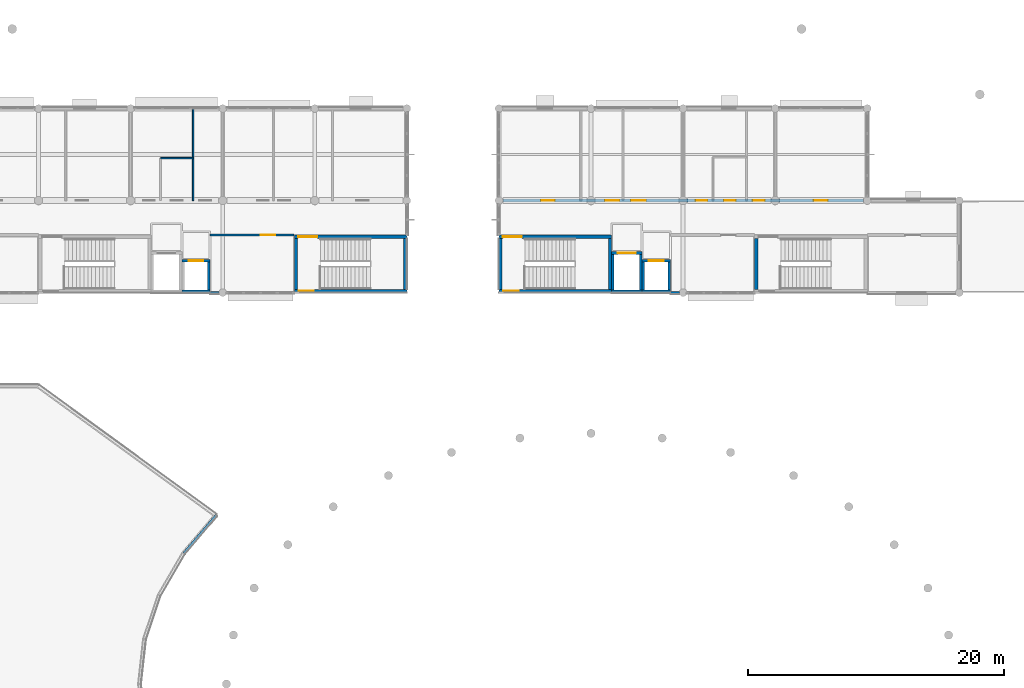
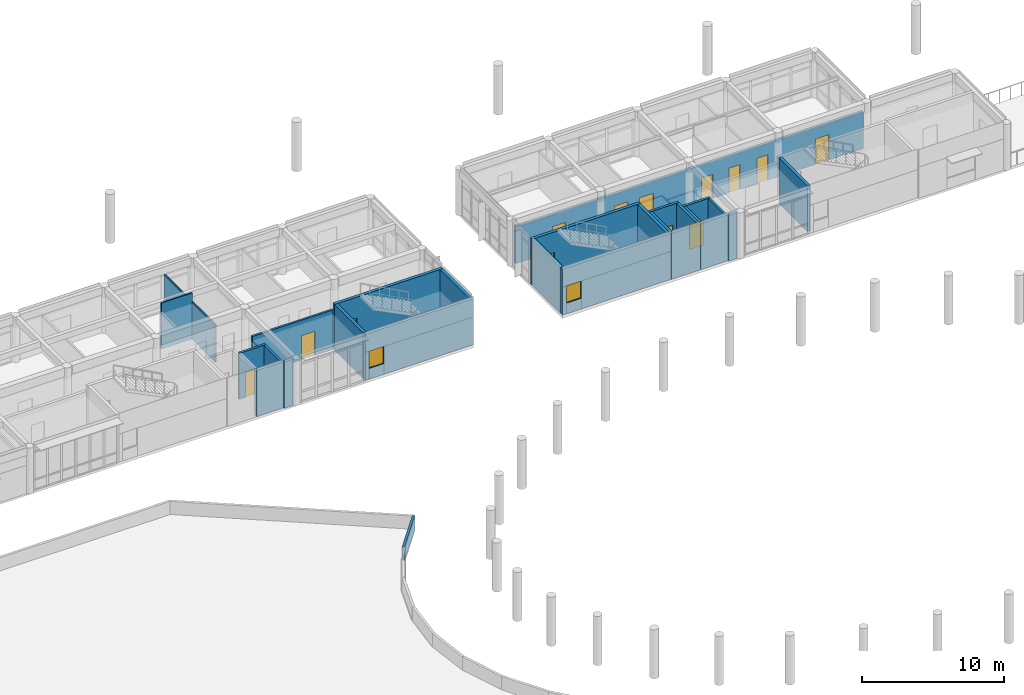
# One storey, part 27 of 55: 27 walls, 13 doors, 2 windows, 15 openings.
"""IFC4 building model written with IfcOpenShell, lengths in metres."""

from ifc_helpers import new_model, si_unit, direction, frame, frame_2d, origin, place, context, subcontext, project, spatial, rectangle, extrude, material, layer, layer_set, type_object, element, fill, save


model = new_model("IFC4")

# Units and contexts
model_context = context("Model", 3, precision=1e-05, world=origin(), true_north=direction((0.0, 1.0)))
body_context = subcontext(model_context, "Body", "Model", "MODEL_VIEW")
ifc_project = project(units=[si_unit("LENGTHUNIT", "METRE"), si_unit("AREAUNIT", "SQUARE_METRE"), si_unit("VOLUMEUNIT", "CUBIC_METRE"), si_unit("PLANEANGLEUNIT", "RADIAN"), si_unit("MASSUNIT", "GRAM", prefix="KILO")], contexts=[model_context])

# Site, building, storey
site_placement = place(None, origin())
site = spatial("IfcSite", under=ifc_project, at=site_placement, CompositionType="ELEMENT")
building_placement = place(site_placement, origin())
building = spatial("IfcBuilding", under=site, at=building_placement, Name="Namkhue Oval Health Centre", CompositionType="ELEMENT")
storey_placement = place(building_placement, frame((0.0, 0.0, 9.60009765625)))
storey = spatial("IfcBuildingStorey", under=building, at=storey_placement, Name="L02", CompositionType="ELEMENT", Elevation=9.60009765625)

# Walls
ifc_material_1 = material(Name="Autoclaved aerated concrete blockwork M7.5", Category="masonry")
ifc_layer_1 = layer(ifc_material_1, 0.199951171875)
ifc_layer_set_1 = layer_set([ifc_layer_1], Name="Autoclaved aerated concrete blockwork M7.5")
wall_type_1 = type_object("IfcWallType", Name="EXTERIOR ENVELOPE WALL 200", PredefinedType="STANDARD", material=ifc_layer_set_1)
wall_1_placement = place(storey_placement, frame((71.001953125, 90.0, 0.0), z_axis=(0.0, 0.0, 1.0), x_axis=(1.0, 0.0, 0.0)))
element("IfcWall", 1, at=wall_1_placement, inside=storey, type_object=wall_type_1, Name="Volume V2 L02 Exterior Envelope Wall 35", PredefinedType="STANDARD", context=body_context, shape_type="SweptSolid", body=[
    extrude(rectangle(XDim=0.703125, YDim=0.199951171875, at=frame_2d((0.3515625, 0.0))), origin(), (0.0, 0.0, 1.0), 3.949951171875),
])
ifc_layer_2 = layer(ifc_material_1, 0.2099609375)
ifc_layer_set_2 = layer_set([ifc_layer_2], Name="Autoclaved aerated concrete blockwork M7.5")
wall_type_2 = type_object("IfcWallType", Name="EXTERIOR ENVELOPE WALL 210", PredefinedType="STANDARD", material=ifc_layer_set_2)
wall_2_placement = place(storey_placement, frame((107.001953125, 90.0, 0.0), z_axis=(0.0, 0.0, 1.0), x_axis=(1.0, 0.0, 0.0)))
element("IfcWall", 2, at=wall_2_placement, inside=storey, type_object=wall_type_2, Name="Volume V3 L02 Exterior Envelope Wall 68", PredefinedType="STANDARD", context=body_context, shape_type="SweptSolid", body=[
    extrude(rectangle(XDim=0.703125, YDim=0.2099609375, at=frame_2d((0.3515625, 0.0))), origin(), (0.0, 0.0, 1.0), 3.9248046875),
])

# Wall, opening, door
ifc_material_2 = material(Name="Gypsum plasterboard acoustic partition", Category="gypsum")
ifc_layer_3 = layer(ifc_material_2, 0.169921875)
ifc_layer_set_3 = layer_set([ifc_layer_3], Name="Gypsum plasterboard acoustic partition")
wall_type_3 = type_object("IfcWallType", Name="FIRE PARTITION WALL 170", PredefinedType="PARTITIONING", material=ifc_layer_set_3)
wall_3_placement = place(storey_placement, frame((71.02001953125, 94.5, 0.0), z_axis=(0.0, 0.0, 1.0), x_axis=(1.0, 0.0, 0.0)))
wall_3 = element("IfcWall", 3, at=wall_3_placement, inside=storey, type_object=wall_type_3, Name="Volume V2 L02 Clinical Partition Wall 71", PredefinedType="PARTITIONING", context=body_context, shape_type="SweptSolid", body=[
    extrude(rectangle(XDim=6.56005859375, YDim=0.169921875, at=frame_2d((3.280029296875, 0.0))), origin(), (0.0, 0.0, 1.0), 3.39990234375),
])
opening_1_placement = place(wall_3_placement, frame((3.969970703125, 0.0, 0.0)))
opening_1 = element("IfcOpeningElement", 4, at=opening_1_placement, cuts=wall_3, Name="Opening CD-06", PredefinedType="OPENING", context=body_context, shape_type="SweptSolid", body=[
    extrude(rectangle(XDim=1.10009765625, YDim=2.080078125, at=frame_2d((0.550048828125, 1.0400390625))), frame((0.0, 0.094970703125, 0.0), z_axis=(0.0, -1.0, 0.0), x_axis=(1.0, 0.0, 0.0)), (0.0, 0.0, 1.0), 0.18994140625),
])
ifc_material_3 = material(Name="High-pressure laminate timber clinical door", Category="wood")
door_type_1 = type_object("IfcDoorType", Name="CLINICAL DOOR 1100X2080", OperationType="NOTDEFINED", PredefinedType="DOOR", material=ifc_material_3)
door_1_placement = place(opening_1_placement, frame((1.10009765625, 0.0, 0.0), z_axis=(0.0, 0.0, 1.0), x_axis=(-1.0, 0.0, 0.0)))
door_1 = element("IfcDoor", 5, at=door_1_placement, inside=storey, type_object=door_type_1, Name="Volume V2 L02 Memory Geriatric Clinic Door 56", OperationType="SINGLE_SWING_RIGHT", OverallHeight=2.080078125, OverallWidth=1.10009765625, PredefinedType="DOOR", context=body_context, shape_type="SweptSolid", body=[
    extrude(rectangle(XDim=1.10009765625, YDim=2.080078125, at=frame_2d((0.550048828125, 1.0400390625))), frame((0.0, 0.02490234375, 0.0), z_axis=(0.0, -1.0, 0.0), x_axis=(1.0, 0.0, 0.0)), (0.0, 0.0, 1.0), 0.050048828125),
])
fill(opening_1, door_1)

# Wall, openings, doors
ifc_layer_4 = layer(ifc_material_2, 0.215087890625)
ifc_layer_set_4 = layer_set([ifc_layer_4], Name="Gypsum plasterboard acoustic partition")
wall_type_4 = type_object("IfcWallType", Name="FIRE PARTITION WALL 215", PredefinedType="PARTITIONING", material=ifc_layer_set_4)
wall_4_placement = place(storey_placement, frame((93.89990234375, 97.199951171875, 0.0), z_axis=(0.0, 0.0, 1.0), x_axis=(1.0, 0.0, 0.0)))
wall_4 = element("IfcWall", 6, at=wall_4_placement, inside=storey, type_object=wall_type_4, Name="Volume V3 L02 Clinical Partition Wall 124", PredefinedType="PARTITIONING", context=body_context, shape_type="SweptSolid", body=[
    extrude(rectangle(XDim=28.2001953125, YDim=0.215087890625, at=frame_2d((14.10009765625, 0.0))), origin(), (0.0, 0.0, 1.0), 3.1748046875),
])
opening_2_placement = place(wall_4_placement, frame((3.0009765625, 0.0, 0.0)))
opening_2 = element("IfcOpeningElement", 7, at=opening_2_placement, cuts=wall_4, Name="Opening CD-10", PredefinedType="OPENING", context=body_context, shape_type="SweptSolid", body=[
    extrude(rectangle(XDim=1.050048828125, YDim=2.1298828125, at=frame_2d((0.52490234375, 1.06494140625))), frame((0.0, 0.117431640625, 0.0), z_axis=(0.0, -1.0, 0.0), x_axis=(1.0, 0.0, 0.0)), (0.0, 0.0, 1.0), 0.235107421875),
])
opening_3_placement = place(wall_4_placement, frame((8.007080078125, 0.0, 0.0)))
opening_3 = element("IfcOpeningElement", 8, at=opening_3_placement, cuts=wall_4, Name="Opening CD-11", PredefinedType="OPENING", context=body_context, shape_type="SweptSolid", body=[
    extrude(rectangle(XDim=1.10009765625, YDim=2.1298828125, at=frame_2d((0.550048828125, 1.06494140625))), frame((0.0, 0.117431640625, 0.0), z_axis=(0.0, -1.0, 0.0), x_axis=(1.0, 0.0, 0.0)), (0.0, 0.0, 1.0), 0.235107421875),
])
opening_4_placement = place(wall_4_placement, frame((10.0400390625, 0.0, 0.0)))
opening_4 = element("IfcOpeningElement", 9, at=opening_4_placement, cuts=wall_4, Name="Opening CD-12", PredefinedType="OPENING", context=body_context, shape_type="SweptSolid", body=[
    extrude(rectangle(XDim=1.14990234375, YDim=2.1298828125, at=frame_2d((0.574951171875, 1.06494140625))), frame((0.0, 0.117431640625, 0.0), z_axis=(0.0, -1.0, 0.0), x_axis=(1.0, 0.0, 0.0)), (0.0, 0.0, 1.0), 0.235107421875),
])
opening_5_placement = place(wall_4_placement, frame((15.090087890625, 0.0, 0.0)))
opening_5 = element("IfcOpeningElement", 10, at=opening_5_placement, cuts=wall_4, Name="Opening CD-01", PredefinedType="OPENING", context=body_context, shape_type="SweptSolid", body=[
    extrude(rectangle(XDim=0.89990234375, YDim=2.080078125, at=frame_2d((0.449951171875, 1.0400390625))), frame((0.0, 0.117431640625, 0.0), z_axis=(0.0, -1.0, 0.0), x_axis=(1.0, 0.0, 0.0)), (0.0, 0.0, 1.0), 0.235107421875),
])
opening_6_placement = place(wall_4_placement, frame((17.300048828125, 0.0, 0.0)))
opening_6 = element("IfcOpeningElement", 11, at=opening_6_placement, cuts=wall_4, Name="Opening CD-07", PredefinedType="OPENING", context=body_context, shape_type="SweptSolid", body=[
    extrude(rectangle(XDim=0.89990234375, YDim=2.1298828125, at=frame_2d((0.449951171875, 1.06494140625))), frame((0.0, 0.117431640625, 0.0), z_axis=(0.0, -1.0, 0.0), x_axis=(1.0, 0.0, 0.0)), (0.0, 0.0, 1.0), 0.235107421875),
])
opening_7_placement = place(wall_4_placement, frame((19.56005859375, 0.0, 0.0)))
opening_7 = element("IfcOpeningElement", 12, at=opening_7_placement, cuts=wall_4, Name="Opening CD-13", PredefinedType="OPENING", context=body_context, shape_type="SweptSolid", body=[
    extrude(rectangle(XDim=0.919921875, YDim=2.179931640625, at=frame_2d((0.4599609375, 1.08984375))), frame((0.0, 0.117431640625, 0.0), z_axis=(0.0, -1.0, 0.0), x_axis=(1.0, 0.0, 0.0)), (0.0, 0.0, 1.0), 0.235107421875),
])
opening_8_placement = place(wall_4_placement, frame((24.318115234375, 0.0, 0.0)))
opening_8 = element("IfcOpeningElement", 13, at=opening_8_placement, cuts=wall_4, Name="Opening CD-16", PredefinedType="OPENING", context=body_context, shape_type="SweptSolid", body=[
    extrude(rectangle(XDim=1.080078125, YDim=2.179931640625, at=frame_2d((0.5400390625, 1.08984375))), frame((0.0, 0.117431640625, 0.0), z_axis=(0.0, -1.0, 0.0), x_axis=(1.0, 0.0, 0.0)), (0.0, 0.0, 1.0), 0.235107421875),
])
door_type_2 = type_object("IfcDoorType", Name="CLINICAL DOOR 1050X2130", OperationType="NOTDEFINED", PredefinedType="DOOR", material=ifc_material_3)
door_2_placement = place(opening_2_placement, origin())
door_2 = element("IfcDoor", 14, at=door_2_placement, inside=storey, type_object=door_type_2, Name="Volume V3 L02 Endoscopy Suite Door 104", OperationType="SINGLE_SWING_RIGHT", OverallHeight=2.1298828125, OverallWidth=1.050048828125, PredefinedType="DOOR", context=body_context, shape_type="SweptSolid", body=[
    extrude(rectangle(XDim=1.050048828125, YDim=2.1298828125, at=frame_2d((0.52490234375, 1.06494140625))), frame((0.0, 0.02490234375, 0.0), z_axis=(0.0, -1.0, 0.0), x_axis=(1.0, 0.0, 0.0)), (0.0, 0.0, 1.0), 0.050048828125),
])
fill(opening_2, door_2)
door_type_3 = type_object("IfcDoorType", Name="CLINICAL DOOR 1080X2180", OperationType="NOTDEFINED", PredefinedType="DOOR", material=ifc_material_3)
door_3_placement = place(opening_8_placement, origin())
door_3 = element("IfcDoor", 15, at=door_3_placement, inside=storey, type_object=door_type_3, Name="Volume V3 L02 Endoscopy Recovery Lounge Door 110", OperationType="SINGLE_SWING_RIGHT", OverallHeight=2.179931640625, OverallWidth=1.080078125, PredefinedType="DOOR", context=body_context, shape_type="SweptSolid", body=[
    extrude(rectangle(XDim=1.080078125, YDim=2.179931640625, at=frame_2d((0.5400390625, 1.08984375))), frame((0.0, 0.02490234375, 0.0), z_axis=(0.0, -1.0, 0.0), x_axis=(1.0, 0.0, 0.0)), (0.0, 0.0, 1.0), 0.050048828125),
])
fill(opening_8, door_3)
door_type_4 = type_object("IfcDoorType", Name="CLINICAL DOOR 1100X2130", OperationType="NOTDEFINED", PredefinedType="DOOR", material=ifc_material_3)
door_4_placement = place(opening_3_placement, origin())
door_4 = element("IfcDoor", 16, at=door_4_placement, inside=storey, type_object=door_type_4, Name="Volume V3 L02 Scope Decontamination CSSD Door 105", OperationType="SINGLE_SWING_RIGHT", OverallHeight=2.1298828125, OverallWidth=1.10009765625, PredefinedType="DOOR", context=body_context, shape_type="SweptSolid", body=[
    extrude(rectangle(XDim=1.10009765625, YDim=2.1298828125, at=frame_2d((0.550048828125, 1.06494140625))), frame((0.0, 0.02490234375, 0.0), z_axis=(0.0, -1.0, 0.0), x_axis=(1.0, 0.0, 0.0)), (0.0, 0.0, 1.0), 0.050048828125),
])
fill(opening_3, door_4)
door_type_5 = type_object("IfcDoorType", Name="CLINICAL DOOR 1150X2130", OperationType="NOTDEFINED", PredefinedType="DOOR", material=ifc_material_3)
door_5_placement = place(opening_4_placement, origin())
door_5 = element("IfcDoor", 17, at=door_5_placement, inside=storey, type_object=door_type_5, Name="Volume V3 L02 Gastroenterology Clinic Door 106", OperationType="SINGLE_SWING_RIGHT", OverallHeight=2.1298828125, OverallWidth=1.14990234375, PredefinedType="DOOR", context=body_context, shape_type="SweptSolid", body=[
    extrude(rectangle(XDim=1.14990234375, YDim=2.1298828125, at=frame_2d((0.574951171875, 1.06494140625))), frame((0.0, 0.02490234375, 0.0), z_axis=(0.0, -1.0, 0.0), x_axis=(1.0, 0.0, 0.0)), (0.0, 0.0, 1.0), 0.050048828125),
])
fill(opening_4, door_5)
door_type_6 = type_object("IfcDoorType", Name="CLINICAL DOOR 900X2080", OperationType="NOTDEFINED", PredefinedType="DOOR", material=ifc_material_3)
door_6_placement = place(opening_5_placement, origin())
door_6 = element("IfcDoor", 18, at=door_6_placement, inside=storey, type_object=door_type_6, Name="Volume V3 L02 Endoscopy Clean Utility Room Door 107", OperationType="SINGLE_SWING_RIGHT", OverallHeight=2.080078125, OverallWidth=0.89990234375, PredefinedType="DOOR", context=body_context, shape_type="SweptSolid", body=[
    extrude(rectangle(XDim=0.89990234375, YDim=2.080078125, at=frame_2d((0.449951171875, 1.0400390625))), frame((0.0, 0.02490234375, 0.0), z_axis=(0.0, -1.0, 0.0), x_axis=(1.0, 0.0, 0.0)), (0.0, 0.0, 1.0), 0.050048828125),
])
fill(opening_5, door_6)
door_type_7 = type_object("IfcDoorType", Name="CLINICAL DOOR 900X2130", OperationType="NOTDEFINED", PredefinedType="DOOR", material=ifc_material_3)
door_7_placement = place(opening_6_placement, origin())
door_7 = element("IfcDoor", 19, at=door_7_placement, inside=storey, type_object=door_type_7, Name="Volume V3 L02 Accessible WC Door 108", OperationType="SINGLE_SWING_RIGHT", OverallHeight=2.1298828125, OverallWidth=0.89990234375, PredefinedType="DOOR", context=body_context, shape_type="SweptSolid", body=[
    extrude(rectangle(XDim=0.89990234375, YDim=2.1298828125, at=frame_2d((0.449951171875, 1.06494140625))), frame((0.0, 0.02490234375, 0.0), z_axis=(0.0, -1.0, 0.0), x_axis=(1.0, 0.0, 0.0)), (0.0, 0.0, 1.0), 0.050048828125),
])
fill(opening_6, door_7)
door_type_8 = type_object("IfcDoorType", Name="CLINICAL DOOR 920X2180", OperationType="NOTDEFINED", PredefinedType="DOOR", material=ifc_material_3)
door_8_placement = place(opening_7_placement, origin())
door_8 = element("IfcDoor", 20, at=door_8_placement, inside=storey, type_object=door_type_8, Name="Volume V3 L02 Staff Washroom Door 109", OperationType="SINGLE_SWING_LEFT", OverallHeight=2.179931640625, OverallWidth=0.919921875, PredefinedType="DOOR", context=body_context, shape_type="SweptSolid", body=[
    extrude(rectangle(XDim=0.919921875, YDim=2.179931640625, at=frame_2d((0.4599609375, 1.08984375))), frame((0.0, 0.02490234375, 0.0), z_axis=(0.0, -1.0, 0.0), x_axis=(1.0, 0.0, 0.0)), (0.0, 0.0, 1.0), 0.050048828125),
])
fill(opening_7, door_8)

# Walls
ifc_layer_5 = layer(ifc_material_2, 0.10009765625)
ifc_layer_set_5 = layer_set([ifc_layer_5], Name="Gypsum plasterboard acoustic partition")
wall_type_5 = type_object("IfcWallType", Name="INTERIOR PARTITION WALL 100", PredefinedType="PARTITIONING", material=ifc_layer_set_5)
wall_5_placement = place(storey_placement, frame((67.139892578125, 100.52001953125, 0.0), z_axis=(0.0, 0.0, 1.0), x_axis=(1.0, 0.0, 0.0)))
element("IfcWall", 21, at=wall_5_placement, inside=storey, type_object=wall_type_5, Name="Volume V2 L02 Clinical Partition Wall 64", PredefinedType="PARTITIONING", context=body_context, shape_type="SweptSolid", body=[
    extrude(rectangle(XDim=2.5400390625, YDim=0.10009765625, at=frame_2d((1.27001953125, 0.0))), origin(), (0.0, 0.0, 1.0), 3.949951171875),
])
ifc_layer_6 = layer(ifc_material_2, 0.110107421875)
ifc_layer_set_6 = layer_set([ifc_layer_6], Name="Gypsum plasterboard acoustic partition")
wall_type_6 = type_object("IfcWallType", Name="INTERIOR PARTITION WALL 110", PredefinedType="PARTITIONING", material=ifc_layer_set_6)
wall_6_placement = place(storey_placement, frame((69.679931640625, 97.199951171875, 0.0), z_axis=(0.0, 0.0, 1.0), x_axis=(0.0, 1.0, 0.0)))
element("IfcWall", 22, at=wall_6_placement, inside=storey, type_object=wall_type_6, Name="Volume V2 L02 Clinical Partition Wall 65", PredefinedType="PARTITIONING", context=body_context, shape_type="SweptSolid", body=[
    extrude(rectangle(XDim=7.16015625, YDim=0.110107421875, at=frame_2d((3.580078125, 0.0))), origin(), (0.0, 0.0, 1.0), 3.199951171875),
])
ifc_material_4 = material(Name="Precast architectural concrete C35/45 (TCVN B40)", Category="concrete")
ifc_layer_7 = layer(ifc_material_4, 0.18505859375)
ifc_layer_set_7 = layer_set([ifc_layer_7], Name="Precast architectural concrete C35/45 (TCVN B40)")
wall_type_7 = type_object("IfcWallType", Name="ROOF PARAPET WALL 185", PredefinedType="PARAPET", material=ifc_layer_set_7)
wall_7_placement = place(storey_placement, frame((71.48291015625, 72.5810546875, 0.0), z_axis=(0.0, 0.0, 1.0), x_axis=(-0.648747253015, -0.761003943292, 0.0)))
element("IfcWall", 23, at=wall_7_placement, inside=storey, type_object=wall_type_7, Name="Volume V1 L02 Roof Parapet Wall 4", PredefinedType="PARAPET", context=body_context, shape_type="SweptSolid", body=[
    extrude(rectangle(XDim=3.8994140625, YDim=0.18505859375, at=frame_2d((1.94970703125, 0.0))), origin(), (0.0, 0.0, 1.0), 1.14990234375),
])

# Wall, opening, window
ifc_material_5 = material(Name="Reinforced concrete C35/45 (TCVN B40)", Category="concrete")
ifc_layer_8 = layer(ifc_material_5, 0.25)
ifc_layer_set_8 = layer_set([ifc_layer_8], Name="Reinforced concrete C35/45 (TCVN B40)")
wall_type_8 = type_object("IfcWallType", Name="SHEAR CORE WALL EXT 250", PredefinedType="SHEAR", material=ifc_layer_set_8)
wall_8_placement = place(storey_placement, frame((77.60009765625, 90.125, 0.0), z_axis=(0.0, 0.0, 1.0), x_axis=(1.0, 0.0, 0.0)))
wall_8 = element("IfcWall", 24, at=wall_8_placement, inside=storey, type_object=wall_type_8, Name="Core SC-04 L02 Shear Wall S", PredefinedType="SHEAR", context=body_context, shape_type="SweptSolid", body=[
    extrude(rectangle(XDim=8.7998046875, YDim=0.25, at=frame_2d((4.39990234375, 0.0))), origin(), (0.0, 0.0, 1.0), 3.949951171875),
])
opening_9_placement = place(wall_8_placement, frame((0.35009765625, 0.0, 0.919921875)))
opening_9 = element("IfcOpeningElement", 25, at=opening_9_placement, cuts=wall_8, Name="Opening SWN-01", PredefinedType="OPENING", context=body_context, shape_type="SweptSolid", body=[
    extrude(rectangle(XDim=1.179931640625, YDim=1.47998046875, at=frame_2d((0.58984375, 0.739990234375))), frame((0.0, 0.135009765625, 0.0), z_axis=(0.0, -1.0, 0.0), x_axis=(1.0, 0.0, 0.0)), (0.0, 0.0, 1.0), 0.27001953125),
])
ifc_material_6 = material(Name="Fire-rated insulated safety double glazing", Category="glass")
window_type = type_object("IfcWindowType", Name="EXTERIOR WINDOW STAIRWELL 1180X1480", PartitioningType="SINGLE_PANEL", PredefinedType="WINDOW", material=ifc_material_6)
window_1_placement = place(opening_9_placement, origin())
window_1 = element("IfcWindow", 26, at=window_1_placement, inside=storey, type_object=window_type, Name="Stair ST-04 L02 Stairwell Daylight Window", OverallHeight=1.47998046875, OverallWidth=1.179931640625, PartitioningType="SINGLE_PANEL", PredefinedType="WINDOW", context=body_context, shape_type="SweptSolid", body=[
    extrude(rectangle(XDim=1.179931640625, YDim=1.47998046875, at=frame_2d((0.58984375, 0.739990234375))), frame((0.0, 0.030029296875, 0.0), z_axis=(0.0, -1.0, 0.0), x_axis=(1.0, 0.0, 0.0)), (0.0, 0.0, 1.0), 0.06005859375),
])
fill(opening_9, window_1)

# Wall
wall_9_placement = place(storey_placement, frame((86.27490234375, 90.25, 0.0), z_axis=(0.0, 0.0, 1.0), x_axis=(0.0, 1.0, 0.0)))
element("IfcWall", 27, at=wall_9_placement, inside=storey, type_object=wall_type_8, Name="Core SC-04 L02 Shear Wall E", PredefinedType="SHEAR", context=body_context, shape_type="SweptSolid", body=[
    extrude(rectangle(XDim=4.0, YDim=0.25, at=frame_2d((2.0, 0.0))), origin(), (0.0, 0.0, 1.0), 3.949951171875),
])

# Wall, opening, window
wall_10_placement = place(storey_placement, frame((93.60009765625, 90.125, 0.0), z_axis=(0.0, 0.0, 1.0), x_axis=(1.0, 0.0, 0.0)))
wall_10 = element("IfcWall", 28, at=wall_10_placement, inside=storey, type_object=wall_type_8, Name="Core SC-05 L02 Shear Wall S", PredefinedType="SHEAR", context=body_context, shape_type="SweptSolid", body=[
    extrude(rectangle(XDim=8.7998046875, YDim=0.25, at=frame_2d((4.39990234375, 0.0))), origin(), (0.0, 0.0, 1.0), 3.9248046875),
])
opening_10_placement = place(wall_10_placement, frame((0.35009765625, 0.0, 0.919921875)))
opening_10 = element("IfcOpeningElement", 29, at=opening_10_placement, cuts=wall_10, Name="Opening SWN-01", PredefinedType="OPENING", context=body_context, shape_type="SweptSolid", body=[
    extrude(rectangle(XDim=1.179931640625, YDim=1.47998046875, at=frame_2d((0.58984375, 0.739990234375))), frame((0.0, 0.135009765625, 0.0), z_axis=(0.0, -1.0, 0.0), x_axis=(1.0, 0.0, 0.0)), (0.0, 0.0, 1.0), 0.27001953125),
])
window_2_placement = place(opening_10_placement, origin())
window_2 = element("IfcWindow", 30, at=window_2_placement, inside=storey, type_object=window_type, Name="Stair ST-05 L02 Stairwell Daylight Window", OverallHeight=1.47998046875, OverallWidth=1.179931640625, PartitioningType="SINGLE_PANEL", PredefinedType="WINDOW", context=body_context, shape_type="SweptSolid", body=[
    extrude(rectangle(XDim=1.179931640625, YDim=1.47998046875, at=frame_2d((0.58984375, 0.739990234375))), frame((0.0, 0.030029296875, 0.0), z_axis=(0.0, -1.0, 0.0), x_axis=(1.0, 0.0, 0.0)), (0.0, 0.0, 1.0), 0.06005859375),
])
fill(opening_10, window_2)

# Walls
wall_11_placement = place(storey_placement, frame((93.72509765625, 94.25, 0.0), z_axis=(0.0, 0.0, 1.0), x_axis=(0.0, -1.0, 0.0)))
element("IfcWall", 31, at=wall_11_placement, inside=storey, type_object=wall_type_8, Name="Core SC-05 L02 Shear Wall W", PredefinedType="SHEAR", context=body_context, shape_type="SweptSolid", body=[
    extrude(rectangle(XDim=4.0, YDim=0.25, at=frame_2d((2.0, 0.0))), origin(), (0.0, 0.0, 1.0), 3.9248046875),
])
wall_12_placement = place(storey_placement, frame((68.800048828125, 90.10009765625, 0.0), z_axis=(0.0, 0.0, 1.0), x_axis=(1.0, 0.0, 0.0)))
element("IfcWall", 32, at=wall_12_placement, inside=storey, type_object=wall_type_8, Name="Lift LF-02 L02 Shaft Wall S", PredefinedType="SHEAR", context=body_context, shape_type="SweptSolid", body=[
    extrude(rectangle(XDim=2.199951171875, YDim=0.25, at=frame_2d((1.10009765625, 0.0))), origin(), (0.0, 0.0, 1.0), 3.949951171875),
])
wall_13_placement = place(storey_placement, frame((102.39990234375, 90.10009765625, 0.0), z_axis=(0.0, 0.0, 1.0), x_axis=(1.0, 0.0, 0.0)))
element("IfcWall", 33, at=wall_13_placement, inside=storey, type_object=wall_type_8, Name="Lift LF-03 L02 Shaft Wall S", PredefinedType="SHEAR", context=body_context, shape_type="SweptSolid", body=[
    extrude(rectangle(XDim=2.400146484375, YDim=0.25, at=frame_2d((1.2001953125, 0.0))), origin(), (0.0, 0.0, 1.0), 3.9248046875),
])
wall_14_placement = place(storey_placement, frame((104.800048828125, 90.10009765625, 0.0), z_axis=(0.0, 0.0, 1.0), x_axis=(1.0, 0.0, 0.0)))
element("IfcWall", 34, at=wall_14_placement, inside=storey, type_object=wall_type_8, Name="Lift LF-04 L02 Shaft Wall S", PredefinedType="SHEAR", context=body_context, shape_type="SweptSolid", body=[
    extrude(rectangle(XDim=2.199951171875, YDim=0.25, at=frame_2d((1.10009765625, 0.0))), origin(), (0.0, 0.0, 1.0), 3.9248046875),
])
ifc_layer_9 = layer(ifc_material_5, 0.199951171875)
ifc_layer_set_9 = layer_set([ifc_layer_9], Name="Reinforced concrete C35/45 (TCVN B40)")
wall_type_9 = type_object("IfcWallType", Name="SHEAR CORE WALL INT 200", PredefinedType="SHEAR", material=ifc_layer_set_9)
wall_15_placement = place(storey_placement, frame((70.89990234375, 90.199951171875, 0.0), z_axis=(0.0, 0.0, 1.0), x_axis=(0.0, 1.0, 0.0)))
element("IfcWall", 35, at=wall_15_placement, inside=storey, type_object=wall_type_9, Name="Lift LF-02 L02 Shaft Wall E", PredefinedType="SHEAR", context=body_context, shape_type="SweptSolid", body=[
    extrude(rectangle(XDim=2.199951171875, YDim=0.199951171875, at=frame_2d((1.10009765625, 0.0))), origin(), (0.0, 0.0, 1.0), 3.949951171875),
])

# Wall, opening, door
wall_16_placement = place(storey_placement, frame((71.0, 92.5, 0.0), z_axis=(0.0, 0.0, 1.0), x_axis=(-1.0, 0.0, 0.0)))
wall_16 = element("IfcWall", 36, at=wall_16_placement, inside=storey, type_object=wall_type_9, Name="Lift LF-02 L02 Shaft Wall N", PredefinedType="SHEAR", context=body_context, shape_type="SweptSolid", body=[
    extrude(rectangle(XDim=2.199951171875, YDim=0.199951171875, at=frame_2d((1.10009765625, 0.0))), origin(), (0.0, 0.0, 1.0), 3.949951171875),
])
opening_11_placement = place(wall_16_placement, frame((0.52490234375, 0.0, 0.0)))
opening_11 = element("IfcOpeningElement", 37, at=opening_11_placement, cuts=wall_16, Name="Opening LD-02", PredefinedType="OPENING", context=body_context, shape_type="SweptSolid", body=[
    extrude(rectangle(XDim=1.14990234375, YDim=2.14990234375, at=frame_2d((0.574951171875, 1.074951171875))), frame((0.0, 0.10986328125, 0.0), z_axis=(0.0, -1.0, 0.0), x_axis=(1.0, 0.0, 0.0)), (0.0, 0.0, 1.0), 0.219970703125),
])
ifc_material_7 = material(Name="Powder-coated steel fire door assembly", Category="steel")
door_type_9 = type_object("IfcDoorType", Name="LIFT LANDING DOOR PASSENGER 1150X2150", OperationType="DOUBLE_DOOR_SLIDING", PredefinedType="DOOR", material=ifc_material_7)
door_9_placement = place(opening_11_placement, frame((1.14990234375, 0.0, 0.0), z_axis=(0.0, 0.0, 1.0), x_axis=(-1.0, 0.0, 0.0)))
door_9 = element("IfcDoor", 38, at=door_9_placement, inside=storey, type_object=door_type_9, Name="Lift LF-02 L02 Sliding Landing Door", OperationType="DOUBLE_DOOR_SLIDING", OverallHeight=2.14990234375, OverallWidth=1.14990234375, PredefinedType="DOOR", context=body_context, shape_type="SweptSolid", body=[
    extrude(rectangle(XDim=1.14990234375, YDim=2.14990234375, at=frame_2d((0.574951171875, 1.074951171875))), frame((0.0, 0.02490234375, 0.0), z_axis=(0.0, -1.0, 0.0), x_axis=(1.0, 0.0, 0.0)), (0.0, 0.0, 1.0), 0.050048828125),
])
fill(opening_11, door_9)

# Wall
wall_17_placement = place(storey_placement, frame((104.699951171875, 90.199951171875, 0.0), z_axis=(0.0, 0.0, 1.0), x_axis=(0.0, 1.0, 0.0)))
element("IfcWall", 39, at=wall_17_placement, inside=storey, type_object=wall_type_9, Name="Lift LF-03 L02 Shaft Wall E", PredefinedType="SHEAR", context=body_context, shape_type="SweptSolid", body=[
    extrude(rectangle(XDim=2.800048828125, YDim=0.199951171875, at=frame_2d((1.39990234375, 0.0))), origin(), (0.0, 0.0, 1.0), 3.9248046875),
])

# Wall, opening, door
wall_18_placement = place(storey_placement, frame((104.800048828125, 93.10009765625, 0.0), z_axis=(0.0, 0.0, 1.0), x_axis=(-1.0, 0.0, 0.0)))
wall_18 = element("IfcWall", 40, at=wall_18_placement, inside=storey, type_object=wall_type_9, Name="Lift LF-03 L02 Shaft Wall N", PredefinedType="SHEAR", context=body_context, shape_type="SweptSolid", body=[
    extrude(rectangle(XDim=2.400146484375, YDim=0.199951171875, at=frame_2d((1.2001953125, 0.0))), origin(), (0.0, 0.0, 1.0), 3.9248046875),
])
opening_12_placement = place(wall_18_placement, frame((0.5, 0.0, 0.0)))
opening_12 = element("IfcOpeningElement", 41, at=opening_12_placement, cuts=wall_18, Name="Opening LD-01", PredefinedType="OPENING", context=body_context, shape_type="SweptSolid", body=[
    extrude(rectangle(XDim=1.39990234375, YDim=2.14990234375, at=frame_2d((0.699951171875, 1.074951171875))), frame((0.0, 0.10986328125, 0.0), z_axis=(0.0, -1.0, 0.0), x_axis=(1.0, 0.0, 0.0)), (0.0, 0.0, 1.0), 0.219970703125),
])
door_type_10 = type_object("IfcDoorType", Name="LIFT LANDING DOOR STRETCHER 1400X2150", OperationType="DOUBLE_DOOR_SLIDING", PredefinedType="DOOR", material=ifc_material_7)
door_10_placement = place(opening_12_placement, frame((1.39990234375, 0.0, 0.0), z_axis=(0.0, 0.0, 1.0), x_axis=(-1.0, 0.0, 0.0)))
door_10 = element("IfcDoor", 42, at=door_10_placement, inside=storey, type_object=door_type_10, Name="Lift LF-03 L02 Sliding Landing Door", OperationType="DOUBLE_DOOR_SLIDING", OverallHeight=2.14990234375, OverallWidth=1.39990234375, PredefinedType="DOOR", context=body_context, shape_type="SweptSolid", body=[
    extrude(rectangle(XDim=1.39990234375, YDim=2.14990234375, at=frame_2d((0.699951171875, 1.074951171875))), frame((0.0, 0.02490234375, 0.0), z_axis=(0.0, -1.0, 0.0), x_axis=(1.0, 0.0, 0.0)), (0.0, 0.0, 1.0), 0.050048828125),
])
fill(opening_12, door_10)

# Walls
wall_19_placement = place(storey_placement, frame((102.5, 93.0, 0.0), z_axis=(0.0, 0.0, 1.0), x_axis=(0.0, -1.0, 0.0)))
element("IfcWall", 43, at=wall_19_placement, inside=storey, type_object=wall_type_9, Name="Lift LF-03 L02 Shaft Wall W", PredefinedType="SHEAR", context=body_context, shape_type="SweptSolid", body=[
    extrude(rectangle(XDim=2.800048828125, YDim=0.199951171875, at=frame_2d((1.39990234375, 0.0))), origin(), (0.0, 0.0, 1.0), 3.9248046875),
])
wall_20_placement = place(storey_placement, frame((106.89990234375, 90.199951171875, 0.0), z_axis=(0.0, 0.0, 1.0), x_axis=(0.0, 1.0, 0.0)))
element("IfcWall", 44, at=wall_20_placement, inside=storey, type_object=wall_type_9, Name="Lift LF-04 L02 Shaft Wall E", PredefinedType="SHEAR", context=body_context, shape_type="SweptSolid", body=[
    extrude(rectangle(XDim=2.199951171875, YDim=0.199951171875, at=frame_2d((1.10009765625, 0.0))), origin(), (0.0, 0.0, 1.0), 3.9248046875),
])

# Wall, opening, door
wall_21_placement = place(storey_placement, frame((107.0, 92.5, 0.0), z_axis=(0.0, 0.0, 1.0), x_axis=(-1.0, 0.0, 0.0)))
wall_21 = element("IfcWall", 45, at=wall_21_placement, inside=storey, type_object=wall_type_9, Name="Lift LF-04 L02 Shaft Wall N", PredefinedType="SHEAR", context=body_context, shape_type="SweptSolid", body=[
    extrude(rectangle(XDim=2.199951171875, YDim=0.199951171875, at=frame_2d((1.10009765625, 0.0))), origin(), (0.0, 0.0, 1.0), 3.9248046875),
])
opening_13_placement = place(wall_21_placement, frame((0.52490234375, 0.0, 0.0)))
opening_13 = element("IfcOpeningElement", 46, at=opening_13_placement, cuts=wall_21, Name="Opening LD-02", PredefinedType="OPENING", context=body_context, shape_type="SweptSolid", body=[
    extrude(rectangle(XDim=1.14990234375, YDim=2.14990234375, at=frame_2d((0.574951171875, 1.074951171875))), frame((0.0, 0.10986328125, 0.0), z_axis=(0.0, -1.0, 0.0), x_axis=(1.0, 0.0, 0.0)), (0.0, 0.0, 1.0), 0.219970703125),
])
door_11_placement = place(opening_13_placement, frame((1.14990234375, 0.0, 0.0), z_axis=(0.0, 0.0, 1.0), x_axis=(-1.0, 0.0, 0.0)))
door_11 = element("IfcDoor", 47, at=door_11_placement, inside=storey, type_object=door_type_9, Name="Lift LF-04 L02 Sliding Landing Door", OperationType="DOUBLE_DOOR_SLIDING", OverallHeight=2.14990234375, OverallWidth=1.14990234375, PredefinedType="DOOR", context=body_context, shape_type="SweptSolid", body=[
    extrude(rectangle(XDim=1.14990234375, YDim=2.14990234375, at=frame_2d((0.574951171875, 1.074951171875))), frame((0.0, 0.02490234375, 0.0), z_axis=(0.0, -1.0, 0.0), x_axis=(1.0, 0.0, 0.0)), (0.0, 0.0, 1.0), 0.050048828125),
])
fill(opening_13, door_11)

# Wall
wall_22_placement = place(storey_placement, frame((104.89990234375, 92.39990234375, 0.0), z_axis=(0.0, 0.0, 1.0), x_axis=(0.0, -1.0, 0.0)))
element("IfcWall", 48, at=wall_22_placement, inside=storey, type_object=wall_type_9, Name="Lift LF-04 L02 Shaft Wall W", PredefinedType="SHEAR", context=body_context, shape_type="SweptSolid", body=[
    extrude(rectangle(XDim=2.199951171875, YDim=0.199951171875, at=frame_2d((1.10009765625, 0.0))), origin(), (0.0, 0.0, 1.0), 3.9248046875),
])

# Wall, opening, door
ifc_layer_10 = layer(ifc_material_5, 0.25)
ifc_layer_set_10 = layer_set([ifc_layer_10], Name="Reinforced concrete C35/45 (TCVN B40)")
wall_type_10 = type_object("IfcWallType", Name="SHEAR CORE WALL INT 250", PredefinedType="SHEAR", material=ifc_layer_set_10)
wall_23_placement = place(storey_placement, frame((86.39990234375, 94.375, 0.0), z_axis=(0.0, 0.0, 1.0), x_axis=(-1.0, 0.0, 0.0)))
wall_23 = element("IfcWall", 49, at=wall_23_placement, inside=storey, type_object=wall_type_10, Name="Core SC-04 L02 Shear Wall N", PredefinedType="SHEAR", context=body_context, shape_type="SweptSolid", body=[
    extrude(rectangle(XDim=8.7998046875, YDim=0.25, at=frame_2d((4.39990234375, 0.0))), origin(), (0.0, 0.0, 1.0), 3.949951171875),
])
opening_14_placement = place(wall_23_placement, frame((7.0, 0.0, 0.0)))
opening_14 = element("IfcOpeningElement", 50, at=opening_14_placement, cuts=wall_23, Name="Opening SD-I1", PredefinedType="OPENING", context=body_context, shape_type="SweptSolid", body=[
    extrude(rectangle(XDim=1.5, YDim=2.14990234375, at=frame_2d((0.75, 1.074951171875))), frame((0.0, 0.135009765625, 0.0), z_axis=(0.0, -1.0, 0.0), x_axis=(1.0, 0.0, 0.0)), (0.0, 0.0, 1.0), 0.27001953125),
])
door_type_11 = type_object("IfcDoorType", Name="CLINICAL DOOR STAIR CORE 1500X2150", OperationType="DOUBLE_DOOR_SINGLE_SWING", PredefinedType="DOOR", material=ifc_material_7)
door_12_placement = place(opening_14_placement, origin())
door_12 = element("IfcDoor", 51, at=door_12_placement, inside=storey, type_object=door_type_11, Name="Stair ST-04 L02 Stair Enclosure Fire Door", OperationType="DOUBLE_DOOR_SINGLE_SWING", OverallHeight=2.14990234375, OverallWidth=1.5, PredefinedType="DOOR", context=body_context, shape_type="SweptSolid", body=[
    extrude(rectangle(XDim=1.5, YDim=2.14990234375, at=frame_2d((0.75, 1.074951171875))), frame((0.0, 0.02490234375, 0.0), z_axis=(0.0, -1.0, 0.0), x_axis=(1.0, 0.0, 0.0)), (0.0, 0.0, 1.0), 0.050048828125),
])
fill(opening_14, door_12)

# Walls
wall_24_placement = place(storey_placement, frame((77.72509765625, 94.25, 0.0), z_axis=(0.0, 0.0, 1.0), x_axis=(0.0, -1.0, 0.0)))
element("IfcWall", 52, at=wall_24_placement, inside=storey, type_object=wall_type_10, Name="Core SC-04 L02 Shear Wall W", PredefinedType="SHEAR", context=body_context, shape_type="SweptSolid", body=[
    extrude(rectangle(XDim=4.0, YDim=0.25, at=frame_2d((2.0, 0.0))), origin(), (0.0, 0.0, 1.0), 3.949951171875),
])
wall_25_placement = place(storey_placement, frame((102.27490234375, 90.25, 0.0), z_axis=(0.0, 0.0, 1.0), x_axis=(0.0, 1.0, 0.0)))
element("IfcWall", 53, at=wall_25_placement, inside=storey, type_object=wall_type_10, Name="Core SC-05 L02 Shear Wall E", PredefinedType="SHEAR", context=body_context, shape_type="SweptSolid", body=[
    extrude(rectangle(XDim=4.0, YDim=0.25, at=frame_2d((2.0, 0.0))), origin(), (0.0, 0.0, 1.0), 3.9248046875),
])

# Wall, opening, door
wall_26_placement = place(storey_placement, frame((102.39990234375, 94.375, 0.0), z_axis=(0.0, 0.0, 1.0), x_axis=(-1.0, 0.0, 0.0)))
wall_26 = element("IfcWall", 54, at=wall_26_placement, inside=storey, type_object=wall_type_10, Name="Core SC-05 L02 Shear Wall N", PredefinedType="SHEAR", context=body_context, shape_type="SweptSolid", body=[
    extrude(rectangle(XDim=8.7998046875, YDim=0.25, at=frame_2d((4.39990234375, 0.0))), origin(), (0.0, 0.0, 1.0), 3.9248046875),
])
opening_15_placement = place(wall_26_placement, frame((7.0, 0.0, 0.0)))
opening_15 = element("IfcOpeningElement", 55, at=opening_15_placement, cuts=wall_26, Name="Opening SD-I1", PredefinedType="OPENING", context=body_context, shape_type="SweptSolid", body=[
    extrude(rectangle(XDim=1.5, YDim=2.14990234375, at=frame_2d((0.75, 1.074951171875))), frame((0.0, 0.135009765625, 0.0), z_axis=(0.0, -1.0, 0.0), x_axis=(1.0, 0.0, 0.0)), (0.0, 0.0, 1.0), 0.27001953125),
])
door_13_placement = place(opening_15_placement, origin())
door_13 = element("IfcDoor", 56, at=door_13_placement, inside=storey, type_object=door_type_11, Name="Stair ST-05 L02 Stair Enclosure Fire Door", OperationType="DOUBLE_DOOR_SINGLE_SWING", OverallHeight=2.14990234375, OverallWidth=1.5, PredefinedType="DOOR", context=body_context, shape_type="SweptSolid", body=[
    extrude(rectangle(XDim=1.5, YDim=2.14990234375, at=frame_2d((0.75, 1.074951171875))), frame((0.0, 0.02490234375, 0.0), z_axis=(0.0, -1.0, 0.0), x_axis=(1.0, 0.0, 0.0)), (0.0, 0.0, 1.0), 0.050048828125),
])
fill(opening_15, door_13)

# Wall
wall_27_placement = place(storey_placement, frame((113.72509765625, 94.25, 0.0), z_axis=(0.0, 0.0, 1.0), x_axis=(0.0, -1.0, 0.0)))
element("IfcWall", 57, at=wall_27_placement, inside=storey, type_object=wall_type_10, Name="Core SC-06 L02 Shear Wall W", PredefinedType="SHEAR", context=body_context, shape_type="SweptSolid", body=[
    extrude(rectangle(XDim=4.0, YDim=0.25, at=frame_2d((2.0, 0.0))), origin(), (0.0, 0.0, 1.0), 3.9248046875),
])

save(model, "model.ifc")
